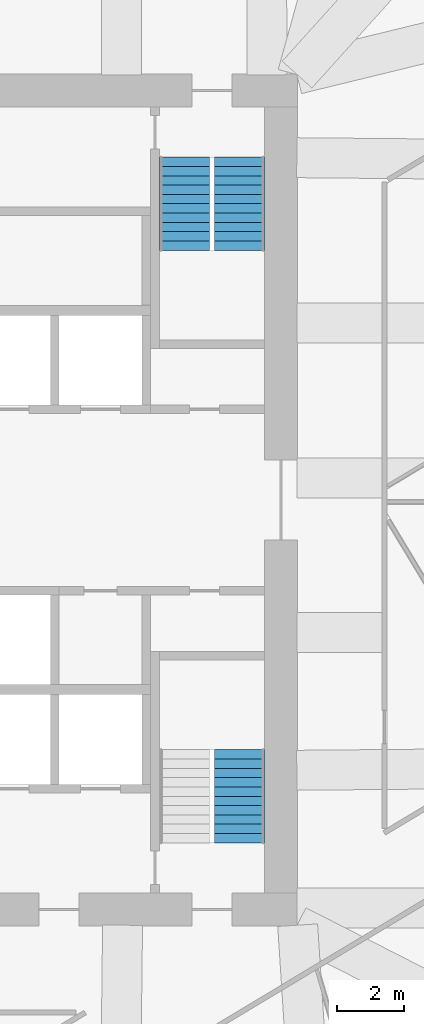
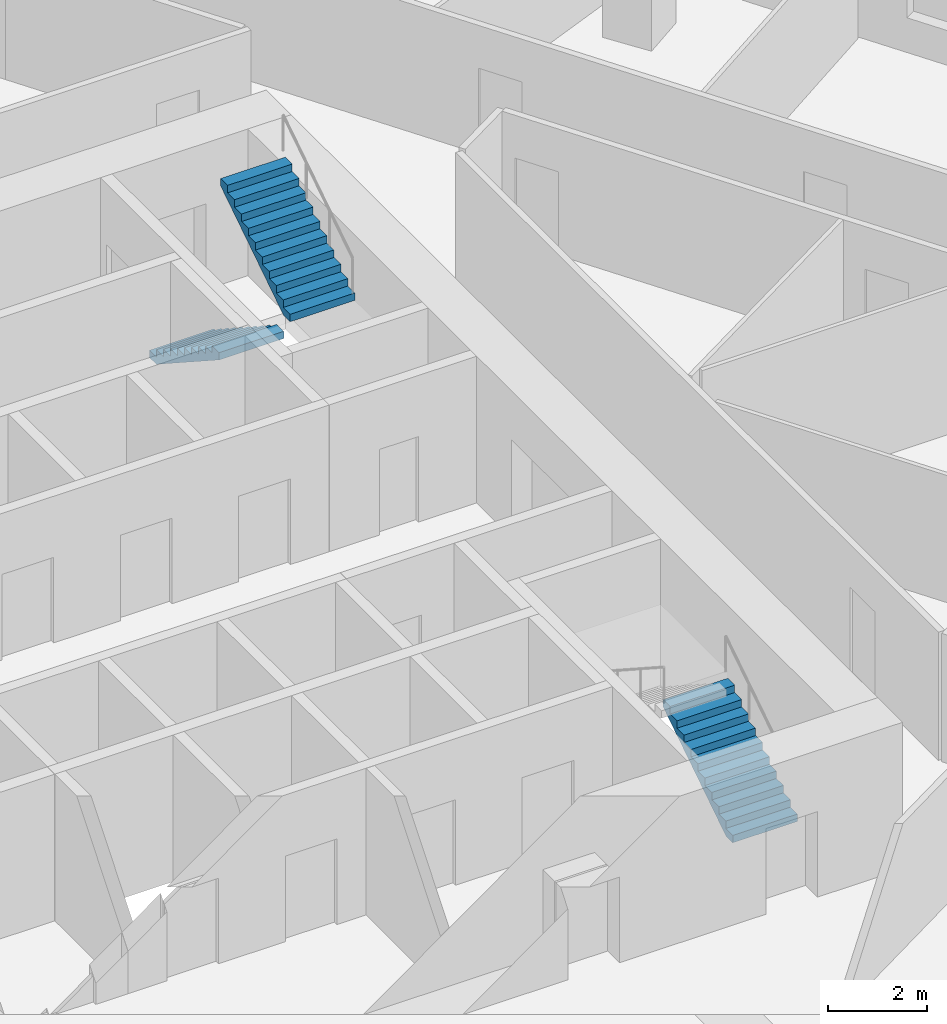
# One storey, part 11 of 14: 3 stair flights, 2 elements without a shape of their own.
"""IFC4 building model written with IfcOpenShell, lengths in metres."""

import ifcopenshell
import ifcopenshell.guid

model = None  # the IFC model being written
_history = None  # IfcOwnerHistory: only IFC2X3 demands one
_inside = {}  # id of a spatial element -> (the spatial element, [elements in it])
_under = {}  # id of a project, library or spatial element -> (it, [spatial elements below it])
_declared = {}  # id of a project -> (the project, [libraries it declares])
_typed = {}  # id of a type object -> (the type object, [elements of that type])
_made_of = {}  # id of a material, layer set ... -> (it, [elements and type objects made of it])


def new_model(schema):
    """Start an empty IFC model of exactly this schema.

    Asked for "IFC4X3", IfcOpenShell would pick the latest addendum, in which some entities
    have other attributes; the version numbers below select the first issue.
    IFC2X3 requires an IfcOwnerHistory on every rooted entity: one is made here for all.
    """
    global model, _history
    if schema == "IFC4X3":
        model = ifcopenshell.file(schema_version=(4, 3, 0, 0))
    else:
        model = ifcopenshell.file(schema=schema)
    _inside.clear()
    _under.clear()
    _declared.clear()
    _typed.clear()
    _made_of.clear()
    _history = None
    if model.schema == "IFC2X3":
        org = make("IfcOrganization", Name="unknown")
        user = make(
            "IfcPersonAndOrganization",
            ThePerson=make("IfcPerson", FamilyName="unknown"),
            TheOrganization=org,
        )
        app = make(
            "IfcApplication",
            ApplicationDeveloper=org,
            Version="unknown",
            ApplicationFullName="unknown",
            ApplicationIdentifier="unknown",
        )
        _history = make(
            "IfcOwnerHistory",
            OwningUser=user,
            OwningApplication=app,
            ChangeAction="ADDED",
            CreationDate=0,
        )
    return model


def make(cls, **values):
    """One entity of the class cls with the attributes given. An attribute that is None is left unset."""
    return model.create_entity(
        cls, **{name: value for name, value in values.items() if value is not None}
    )


def rooted(cls, **values):
    """An entity with a GlobalId (a new one), such as an element, a storey or a relation."""
    return make(cls, GlobalId=ifcopenshell.guid.new(), OwnerHistory=_history, **values)


def si_unit(unit_type, name, prefix=None):
    """IfcSIUnit, for example si_unit("LENGTHUNIT", "METRE", prefix="MILLI")."""
    return make("IfcSIUnit", UnitType=unit_type, Prefix=prefix, Name=name)


def assignment(units):
    """IfcUnitAssignment: the units of a project."""
    return None if units is None else make("IfcUnitAssignment", Units=units)


def point(xyz):
    """IfcCartesianPoint."""
    return None if xyz is None else make("IfcCartesianPoint", Coordinates=xyz)


def direction(xyz):
    """IfcDirection."""
    return None if xyz is None else make("IfcDirection", DirectionRatios=xyz)


def frame(location, z_axis=None, x_axis=None):
    """IfcAxis2Placement3D, a coordinate frame: its origin and axes. An axis left out is left unset."""
    return make(
        "IfcAxis2Placement3D",
        Location=point(location),
        Axis=direction(z_axis),
        RefDirection=direction(x_axis),
    )


def origin():
    """The frame at (0, 0, 0) with its axes left unset."""
    return frame((0.0, 0.0, 0.0))


def place(relative_to, where):
    """IfcLocalPlacement: puts the frame where relative to a parent placement (None: the world)."""
    return make(
        "IfcLocalPlacement", PlacementRelTo=relative_to, RelativePlacement=where
    )


def context(
    kind, dimensions, precision=None, world=None, true_north=None, identifier=None
):
    """IfcGeometricRepresentationContext, for example the 3D "Model" context."""
    return make(
        "IfcGeometricRepresentationContext",
        ContextIdentifier=identifier,
        ContextType=kind,
        CoordinateSpaceDimension=dimensions,
        Precision=precision,
        WorldCoordinateSystem=world,
        TrueNorth=true_north,
    )


def subcontext(parent, identifier, kind, view, scale=None):
    """IfcGeometricRepresentationSubContext, for example "Body" below "Model"."""
    return make(
        "IfcGeometricRepresentationSubContext",
        ContextIdentifier=identifier,
        ContextType=kind,
        ParentContext=parent,
        TargetScale=scale,
        TargetView=view,
    )


def project(units=None, contexts=None):
    """IfcProject with its units and contexts."""
    return rooted(
        "IfcProject",
        Name="project",
        RepresentationContexts=contexts,
        UnitsInContext=assignment(units),
    )


def spatial(cls, under=None, at=None, **own):
    """A site, building, storey or space (cls), placed at a placement, below another one or the project."""
    s = rooted(cls, ObjectPlacement=at, **own)
    if under is not None:
        _under.setdefault(under.id(), (under, []))[1].append(s)
    return s


def polyline(points):
    """IfcPolyline through the points."""
    return make("IfcPolyline", Points=[point(p) for p in points])


def outline(outer, holes=None, kind="AREA"):
    """IfcArbitraryClosedProfileDef: a profile drawn as a closed curve; with holes, ...WithVoids."""
    if holes is None:
        return make("IfcArbitraryClosedProfileDef", ProfileType=kind, OuterCurve=outer)
    return make(
        "IfcArbitraryProfileDefWithVoids",
        ProfileType=kind,
        OuterCurve=outer,
        InnerCurves=holes,
    )


def extrude(swept, where, along, depth):
    """IfcExtrudedAreaSolid: the profile swept, set in the frame where, extruded along a direction by depth."""
    return make(
        "IfcExtrudedAreaSolid",
        SweptArea=swept,
        Position=where,
        ExtrudedDirection=direction(along),
        Depth=depth,
    )


def shape(context_of_items, identifier, shape_type, items):
    """IfcShapeRepresentation: the items that make up one representation, for example the "Body"."""
    return make(
        "IfcShapeRepresentation",
        ContextOfItems=context_of_items,
        RepresentationIdentifier=identifier,
        RepresentationType=shape_type,
        Items=items,
    )


def material(Name=None, Category=None):
    """IfcMaterial."""
    return make("IfcMaterial", Name=Name, Category=Category)


def made_of(thing, what):
    """Note that an element or type object is made of a material, layer set ...; save() writes the relation."""
    if what is not None:
        _made_of.setdefault(what.id(), (what, []))[1].append(thing)
    return thing


def type_object(cls, material=None, **own):
    """A type object (cls), such as IfcWallType, which elements share."""
    return made_of(rooted(cls, **own), material)


def element(
    cls,
    number,
    at=None,
    inside=None,
    cuts=None,
    type_object=None,
    material=None,
    context=None,
    identifier="Body",
    shape_type=None,
    held_by="IfcProductDefinitionShape",
    body=None,
    shapes=None,
    **own,
):
    """One element of the class cls, such as IfcWall. Its Tag is "e" and its number.

    at: its placement. inside: the storey or other place that contains it. cuts: it is an
    opening in that element (IfcRelVoidsElement). A single representation is given by context,
    identifier, shape_type and body (its items); several are given by shapes. held_by: the class
    of the entity that holds the representations. save() writes the other relations.
    """
    e = rooted(cls, Tag="e%d" % number, ObjectPlacement=at, **own)
    if body is not None:
        shapes = [shape(context, identifier, shape_type, body)]
    if shapes is not None:
        e.Representation = make(held_by, Representations=shapes)
    if inside is not None:
        _inside.setdefault(inside.id(), (inside, []))[1].append(e)
    if cuts is not None:
        rooted(
            "IfcRelVoidsElement", RelatingBuildingElement=cuts, RelatedOpeningElement=e
        )
    if type_object is not None:
        _typed.setdefault(type_object.id(), (type_object, []))[1].append(e)
    return made_of(e, material)


def aggregate(whole, parts):
    """IfcRelAggregates: a whole, such as a stair, and the parts it consists of."""
    return rooted("IfcRelAggregates", RelatingObject=whole, RelatedObjects=parts)


def save(model, path):
    """Write the relations noted so far, then the file.

    IfcRelAggregates (storeys below a building ...), IfcRelContainedInSpatialStructure (elements
    in a storey), IfcRelDefinesByType, IfcRelAssociatesMaterial and IfcRelDeclares: one each for
    every whole, place, type object, material and project.
    """
    for whole, parts in _under.values():
        aggregate(whole, parts)
    for where, things in _inside.values():
        rooted(
            "IfcRelContainedInSpatialStructure",
            RelatedElements=things,
            RelatingStructure=where,
        )
    for kind, things in _typed.values():
        rooted("IfcRelDefinesByType", RelatedObjects=things, RelatingType=kind)
    for what, things in _made_of.values():
        rooted("IfcRelAssociatesMaterial", RelatedObjects=things, RelatingMaterial=what)
    for by, libraries in _declared.values():
        rooted("IfcRelDeclares", RelatingContext=by, RelatedDefinitions=libraries)
    model.write(path)


model = new_model("IFC4")

# Units and contexts
model_context = context("Model", 3, precision=1e-05, world=origin(), true_north=direction((0.0, 1.0)))
body_context = subcontext(model_context, "Body", "Model", "MODEL_VIEW")
ifc_project = project(units=[si_unit("LENGTHUNIT", "METRE"), si_unit("AREAUNIT", "SQUARE_METRE"), si_unit("VOLUMEUNIT", "CUBIC_METRE"), si_unit("PLANEANGLEUNIT", "RADIAN"), si_unit("MASSUNIT", "GRAM", prefix="KILO")], contexts=[model_context])

# Site, building, storey
site_placement = place(None, origin())
site = spatial("IfcSite", under=ifc_project, at=site_placement, CompositionType="ELEMENT")
building_placement = place(site_placement, origin())
building = spatial("IfcBuilding", under=site, at=building_placement, Name="Dilmun Exchange Tower", CompositionType="ELEMENT")
storey_placement = place(building_placement, frame((0.0, 0.0, 151.699951171875)))
storey = spatial("IfcBuildingStorey", under=building, at=storey_placement, Name="L35", CompositionType="ELEMENT", Elevation=151.699951171875)

# Stair, stair flights
ifc_material = material(Name="Concrete C40/50", Category="concrete")
stair_type = type_object("IfcStairType", Name="Exit stair 1500 half-turn", PredefinedType="HALF_TURN_STAIR", material=ifc_material)
stair_1_placement = place(storey_placement, origin())
stair_1 = element("IfcStair", 1, at=stair_1_placement, inside=storey, type_object=stair_type, Name="L35 Protected exit stair ST1", PredefinedType="HALF_TURN_STAIR")
stair_flight_type = type_object("IfcStairFlightType", Name="Exit stair flight 1500", PredefinedType="STRAIGHT", material=ifc_material)
stair_flight_1_placement = place(storey_placement, frame((9.39990234375, 10.300048828125, 0.0), z_axis=(0.0, 0.0, 1.0), x_axis=(0.0, -1.0, 0.0)))
stair_flight_1 = element("IfcStairFlight", 2, at=stair_flight_1_placement, type_object=stair_flight_type, Name="ST1 flight 1", NumberOfRisers=11, NumberOfTreads=10, PredefinedType="STRAIGHT", RiserHeight=0.181818182, TreadLength=0.28, context=body_context, shape_type="SweptSolid", body=[
    extrude(outline(polyline([(0.0, 0.0), (0.0, 0.181884765625), (0.280029296875, 0.181884765625), (0.280029296875, 0.363525390625), (0.56005859375, 0.363525390625), (0.56005859375, 0.54541015625), (0.840087890625, 0.54541015625), (0.840087890625, 0.727294921875), (1.1201171875, 0.727294921875), (1.1201171875, 0.9091796875), (1.39990234375, 0.9091796875), (1.39990234375, 1.0908203125), (1.679931640625, 1.0908203125), (1.679931640625, 1.272705078125), (1.9599609375, 1.272705078125), (1.9599609375, 1.45458984375), (2.239990234375, 1.45458984375), (2.239990234375, 1.636474609375), (2.52001953125, 1.636474609375), (2.52001953125, 1.818115234375), (2.800048828125, 1.818115234375), (2.800048828125, 2.0), (2.800048828125, 1.639404296875), (0.275146484375, 0.0), (0.0, 0.0)])), frame((0.0, 0.75, 0.0), z_axis=(0.0, -1.0, 0.0), x_axis=(1.0, 0.0, 0.0)), (0.0, 0.0, 1.0), 1.5),
])
stair_flight_2_placement = place(storey_placement, frame((11.050048828125, 7.5, 2.0), z_axis=(0.0, 0.0, 1.0), x_axis=(0.0, 1.0, 0.0)))
stair_flight_2 = element("IfcStairFlight", 3, at=stair_flight_2_placement, type_object=stair_flight_type, Name="ST1 flight 2", NumberOfRisers=11, NumberOfTreads=10, PredefinedType="STRAIGHT", RiserHeight=0.181818182, TreadLength=0.28, context=body_context, shape_type="SweptSolid", body=[
    extrude(outline(polyline([(0.0, 0.0), (0.0, 0.181884765625), (0.280029296875, 0.181884765625), (0.280029296875, 0.363525390625), (0.56005859375, 0.363525390625), (0.56005859375, 0.54541015625), (0.840087890625, 0.54541015625), (0.840087890625, 0.727294921875), (1.1201171875, 0.727294921875), (1.1201171875, 0.9091796875), (1.39990234375, 0.9091796875), (1.39990234375, 1.0908203125), (1.679931640625, 1.0908203125), (1.679931640625, 1.272705078125), (1.9599609375, 1.272705078125), (1.9599609375, 1.45458984375), (2.239990234375, 1.45458984375), (2.239990234375, 1.636474609375), (2.52001953125, 1.636474609375), (2.52001953125, 1.818115234375), (2.800048828125, 1.818115234375), (2.800048828125, 2.0), (2.800048828125, 1.639404296875), (0.275146484375, 0.0), (0.0, 0.0)])), frame((0.0, 0.75, 0.0), z_axis=(0.0, -1.0, 0.0), x_axis=(1.0, 0.0, 0.0)), (0.0, 0.0, 1.0), 1.5),
])
aggregate(stair_1, [stair_flight_1, stair_flight_2])

# Stair, stair flight
stair_2_placement = place(storey_placement, origin())
stair_2 = element("IfcStair", 4, at=stair_2_placement, inside=storey, type_object=stair_type, Name="L35 Protected exit stair ST3", PredefinedType="HALF_TURN_STAIR")
stair_flight_3_placement = place(storey_placement, frame((11.050048828125, -10.300048828125, 0.0), z_axis=(0.0, 0.0, 1.0), x_axis=(0.0, 1.0, 0.0)))
stair_flight_3 = element("IfcStairFlight", 5, at=stair_flight_3_placement, type_object=stair_flight_type, Name="ST3 flight 1", NumberOfRisers=11, NumberOfTreads=10, PredefinedType="STRAIGHT", RiserHeight=0.181818182, TreadLength=0.28, context=body_context, shape_type="SweptSolid", body=[
    extrude(outline(polyline([(0.0, 0.0), (0.0, 0.181884765625), (0.280029296875, 0.181884765625), (0.280029296875, 0.363525390625), (0.56005859375, 0.363525390625), (0.56005859375, 0.54541015625), (0.840087890625, 0.54541015625), (0.840087890625, 0.727294921875), (1.1201171875, 0.727294921875), (1.1201171875, 0.9091796875), (1.39990234375, 0.9091796875), (1.39990234375, 1.0908203125), (1.679931640625, 1.0908203125), (1.679931640625, 1.272705078125), (1.9599609375, 1.272705078125), (1.9599609375, 1.45458984375), (2.239990234375, 1.45458984375), (2.239990234375, 1.636474609375), (2.52001953125, 1.636474609375), (2.52001953125, 1.818115234375), (2.800048828125, 1.818115234375), (2.800048828125, 2.0), (2.800048828125, 1.639404296875), (0.275146484375, 0.0), (0.0, 0.0)])), frame((0.0, 0.75, 0.0), z_axis=(0.0, -1.0, 0.0), x_axis=(1.0, 0.0, 0.0)), (0.0, 0.0, 1.0), 1.5),
])
aggregate(stair_2, [stair_flight_3])

save(model, "model.ifc")
